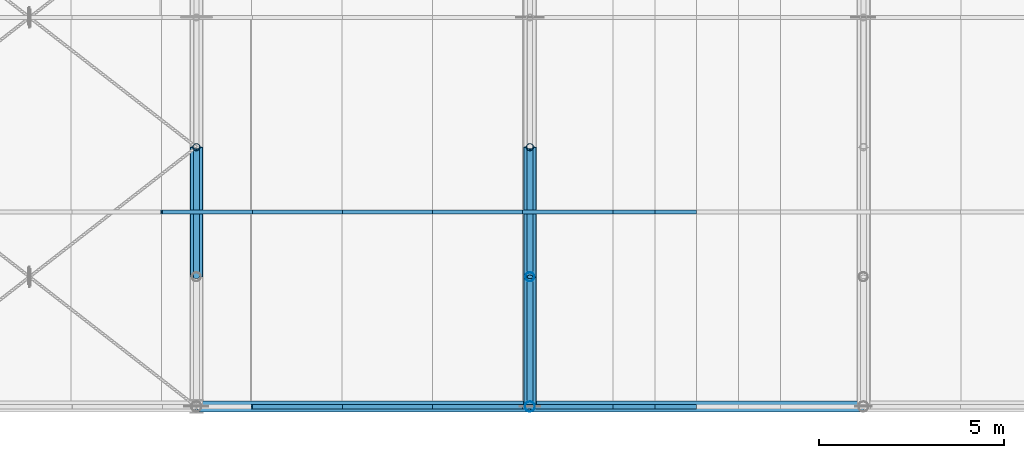
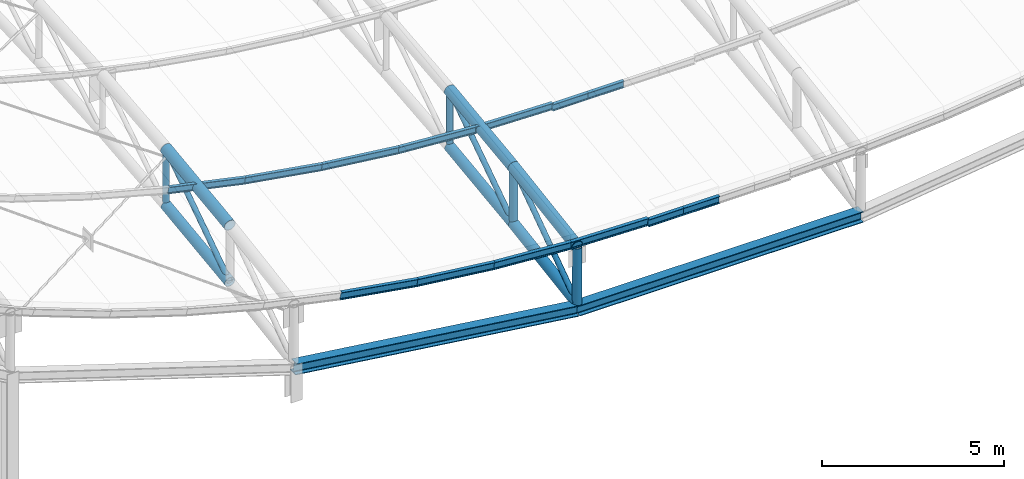
# One storey, part 20 of 262: 26 members, 2 beams.
"""IFC4 building model written with IfcOpenShell, lengths in metres."""

from ifc_helpers import new_model, si_unit, derived_unit, direction, frame, origin, origin_2d, place, context, subcontext, project, spatial, hollow_circle, i_section, extrude, material, material_profile, profile_set, type_object, element, save


model = new_model("IFC4")

# Units and contexts
model_context = context("Model", 3, precision=1e-05, world=origin(), true_north=direction((0.0, 1.0)))
body_context = subcontext(model_context, "Body", "Model", "MODEL_VIEW")
ifc_project = project(units=[si_unit("LENGTHUNIT", "METRE"), si_unit("AREAUNIT", "SQUARE_METRE"), si_unit("VOLUMEUNIT", "CUBIC_METRE"), si_unit("PLANEANGLEUNIT", "RADIAN"), si_unit("MASSUNIT", "GRAM", prefix="KILO"), derived_unit("THERMALTRANSMITTANCEUNIT", [(si_unit("POWERUNIT", "WATT"), 1), (si_unit("LENGTHUNIT", "METRE"), -2), (si_unit("THERMODYNAMICTEMPERATUREUNIT", "KELVIN"), -1)])], contexts=[model_context])

# Site, building, storey
site_placement = place(None, origin())
site = spatial("IfcSite", under=ifc_project, at=site_placement, CompositionType="ELEMENT")
building_placement = place(site_placement, origin())
building = spatial("IfcBuilding", under=site, at=building_placement, Name="Almenara Railside Exhibition Hall", CompositionType="ELEMENT")
storey_placement = place(building_placement, frame((0.0, 0.0, 21.699951171875)))
storey = spatial("IfcBuildingStorey", under=building, at=storey_placement, Name="RF", CompositionType="ELEMENT", Elevation=21.699951171875)

# Members
ifc_material = material(Name="Structural steel S355JR", Category="steel")
ifc_material_profile_1 = material_profile(ifc_material, i_section(OverallWidth=0.110107421875, OverallDepth=0.219970703125, WebThickness=0.005859375, FlangeThickness=0.00927734375, FilletRadius=0.011962890625, at=origin_2d()), Name="IPE 220")
ifc_profile_set_1 = profile_set([ifc_material_profile_1], Name="Structural steel S355JR")
member_type_1 = type_object("IfcMemberType", Name="Heavy Hall Roof Purlin IPE 220 S355JR", PredefinedType="PURLIN", material=ifc_profile_set_1)
member_1_placement = place(storey_placement, frame((20.056884765625, 5.25, -5.859130859375), z_axis=(0.977496103583, 0.0, -0.210953472309), x_axis=(0.0, 1.0, 0.0)))
element("IfcMember", 1, at=member_1_placement, inside=storey, type_object=member_type_1, Name="MEM-PR-V4-PR-IPE220-01-07", PredefinedType="PURLIN", context=body_context, shape_type="SweptSolid", body=[
    extrude(i_section(OverallWidth=0.110107421875, OverallDepth=0.219970703125, WebThickness=0.005859375, FlangeThickness=0.00927734375, FilletRadius=0.011962890625, at=origin_2d()), origin(), (0.0, 0.0, 1.0), 2.492919921875),
])
member_2_placement = place(storey_placement, frame((22.49365234375, 5.25, -6.382080078125), z_axis=(0.986449960692, 0.0, -0.164062412058), x_axis=(0.0, 1.0, 0.0)))
element("IfcMember", 2, at=member_2_placement, inside=storey, type_object=member_type_1, Name="MEM-PR-V4-PR-IPE220-01-08", PredefinedType="PURLIN", context=body_context, shape_type="SweptSolid", body=[
    extrude(i_section(OverallWidth=0.110107421875, OverallDepth=0.219970703125, WebThickness=0.005859375, FlangeThickness=0.00927734375, FilletRadius=0.011962890625, at=origin_2d()), origin(), (0.0, 0.0, 1.0), 2.47021484375),
])
member_3_placement = place(storey_placement, frame((24.930419921875, 5.25, -6.78515625), z_axis=(0.993105700961, 0.0, -0.117222296166), x_axis=(0.0, 1.0, 0.0)))
element("IfcMember", 3, at=member_3_placement, inside=storey, type_object=member_type_1, Name="MEM-PR-V4-PR-IPE220-01-09", PredefinedType="PURLIN", context=body_context, shape_type="SweptSolid", body=[
    extrude(i_section(OverallWidth=0.110107421875, OverallDepth=0.219970703125, WebThickness=0.005859375, FlangeThickness=0.00927734375, FilletRadius=0.011962890625, at=origin_2d()), origin(), (0.0, 0.0, 1.0), 2.453369140625),
])
member_4_placement = place(storey_placement, frame((27.366943359375, 5.25, -7.0712890625), z_axis=(0.997521719737, 0.0, -0.070359211571), x_axis=(0.0, 1.0, 0.0)))
element("IfcMember", 4, at=member_4_placement, inside=storey, type_object=member_type_1, Name="MEM-PR-V4-PR-IPE220-01-10", PredefinedType="PURLIN", context=body_context, shape_type="SweptSolid", body=[
    extrude(i_section(OverallWidth=0.110107421875, OverallDepth=0.219970703125, WebThickness=0.005859375, FlangeThickness=0.00927734375, FilletRadius=0.011962890625, at=origin_2d()), origin(), (0.0, 0.0, 1.0), 2.44287109375),
])
member_5_placement = place(storey_placement, frame((29.8037109375, 5.25, -7.242431640625), z_axis=(0.999725289903, 0.0, -0.023438104182), x_axis=(0.0, 1.0, 0.0)))
element("IfcMember", 5, at=member_5_placement, inside=storey, type_object=member_type_1, Name="MEM-PR-V4-PR-IPE220-01-11", PredefinedType="PURLIN", context=body_context, shape_type="SweptSolid", body=[
    extrude(i_section(OverallWidth=0.110107421875, OverallDepth=0.219970703125, WebThickness=0.005859375, FlangeThickness=0.00927734375, FilletRadius=0.011962890625, at=origin_2d()), origin(), (0.0, 0.0, 1.0), 2.4375),
])
member_6_placement = place(storey_placement, frame((32.240478515625, 5.25, -7.349853515625), z_axis=(1.0, 0.0, 0.0), x_axis=(0.0, 1.0, 0.0)))
element("IfcMember", 6, at=member_6_placement, inside=storey, type_object=member_type_1, Name="MEM-PR-V4-PR-IPE220-01-12", PredefinedType="PURLIN", context=body_context, shape_type="SweptSolid", body=[
    extrude(i_section(OverallWidth=0.110107421875, OverallDepth=0.219970703125, WebThickness=0.005859375, FlangeThickness=0.00927734375, FilletRadius=0.011962890625, at=origin_2d()), origin(), (0.0, 0.0, 1.0), 1.129638671875),
])
member_7_placement = place(storey_placement, frame((33.3701171875, 5.25, -7.349853515625), z_axis=(1.0, 0.0, 0.0), x_axis=(0.0, 1.0, 0.0)))
element("IfcMember", 7, at=member_7_placement, inside=storey, type_object=member_type_1, Name="MEM-PR-V4-PR-IPE220-01-13", PredefinedType="PURLIN", context=body_context, shape_type="SweptSolid", body=[
    extrude(i_section(OverallWidth=0.110107421875, OverallDepth=0.219970703125, WebThickness=0.005859375, FlangeThickness=0.00927734375, FilletRadius=0.011962890625, at=origin_2d()), origin(), (0.0, 0.0, 1.0), 1.1298828125),
])
ifc_material_profile_2 = material_profile(ifc_material, hollow_circle(Radius=0.161865234375, WallThickness=0.010009765625, at=origin_2d()), Name="CHS 323.9x10")
ifc_profile_set_2 = profile_set([ifc_material_profile_2], Name="Structural steel S355JR")
member_type_2 = type_object("IfcMemberType", Name="Plenary Truss Bottom Chord CHS 323.9x10 S355JR", PredefinedType="CHORD", material=ifc_profile_set_2)
member_8_placement = place(storey_placement, frame((21.0, 3.5, -8.220458984375), z_axis=(0.0, 0.991837525329, 0.127508130523), x_axis=(-1.0, 0.0, 0.0)))
element("IfcMember", 8, at=member_8_placement, inside=storey, type_object=member_type_2, Name="MEM-BC-V4-02-01", PredefinedType="CHORD", context=body_context, shape_type="SweptSolid", body=[
    extrude(hollow_circle(Radius=0.161865234375, WallThickness=0.010009765625, at=origin_2d()), origin(), (0.0, 0.0, 1.0), 3.52880859375),
])
member_9_placement = place(storey_placement, frame((30.0, 0.0, -9.95166015625), z_axis=(0.0, 0.987875011802, 0.155251283593), x_axis=(-1.0, 0.0, 0.0)))
element("IfcMember", 9, at=member_9_placement, inside=storey, type_object=member_type_2, Name="MEM-BC-V4-03-00", PredefinedType="CHORD", context=body_context, shape_type="SweptSolid", body=[
    extrude(hollow_circle(Radius=0.161865234375, WallThickness=0.010009765625, at=origin_2d()), origin(), (0.0, 0.0, 1.0), 3.54296875),
])
member_10_placement = place(storey_placement, frame((30.0, 3.5, -9.401611328125), z_axis=(0.0, 0.991837525329, 0.127508130523), x_axis=(-1.0, 0.0, 0.0)))
element("IfcMember", 10, at=member_10_placement, inside=storey, type_object=member_type_2, Name="MEM-BC-V4-03-01", PredefinedType="CHORD", context=body_context, shape_type="SweptSolid", body=[
    extrude(hollow_circle(Radius=0.161865234375, WallThickness=0.010009765625, at=origin_2d()), origin(), (0.0, 0.0, 1.0), 3.52880859375),
])
ifc_material_profile_3 = material_profile(ifc_material, hollow_circle(Radius=0.177734375, WallThickness=0.012451171875, at=origin_2d()), Name="CHS 355.6x12.5")
ifc_profile_set_3 = profile_set([ifc_material_profile_3], Name="Structural steel S355JR")
member_type_3 = type_object("IfcMemberType", Name="Plenary Truss Top Chord CHS 355.6x12.5 S355JR", PredefinedType="CHORD", material=ifc_profile_set_3)
member_11_placement = place(storey_placement, frame((21.0, 3.5, -6.320556640625), z_axis=(0.0, 0.991837525329, 0.127508130523), x_axis=(-1.0, 0.0, 0.0)))
element("IfcMember", 11, at=member_11_placement, inside=storey, type_object=member_type_3, Name="MEM-TC-V4-02-01", PredefinedType="CHORD", context=body_context, shape_type="SweptSolid", body=[
    extrude(hollow_circle(Radius=0.177734375, WallThickness=0.012451171875, at=origin_2d()), origin(), (0.0, 0.0, 1.0), 3.52880859375),
])
member_12_placement = place(storey_placement, frame((30.0, 0.0, -8.0517578125), z_axis=(0.0, 0.987875011802, 0.155251283593), x_axis=(-1.0, 0.0, 0.0)))
element("IfcMember", 12, at=member_12_placement, inside=storey, type_object=member_type_3, Name="MEM-TC-V4-03-00", PredefinedType="CHORD", context=body_context, shape_type="SweptSolid", body=[
    extrude(hollow_circle(Radius=0.177734375, WallThickness=0.012451171875, at=origin_2d()), origin(), (0.0, 0.0, 1.0), 3.54296875),
])
member_13_placement = place(storey_placement, frame((30.0, 3.5, -7.501708984375), z_axis=(0.0, 0.991837525329, 0.127508130523), x_axis=(-1.0, 0.0, 0.0)))
element("IfcMember", 13, at=member_13_placement, inside=storey, type_object=member_type_3, Name="MEM-TC-V4-03-01", PredefinedType="CHORD", context=body_context, shape_type="SweptSolid", body=[
    extrude(hollow_circle(Radius=0.177734375, WallThickness=0.012451171875, at=origin_2d()), origin(), (0.0, 0.0, 1.0), 3.52880859375),
])
ifc_material_profile_4 = material_profile(ifc_material, i_section(OverallWidth=0.1201171875, OverallDepth=0.239990234375, WebThickness=0.006103515625, FlangeThickness=0.009765625, FilletRadius=0.014892578125, at=origin_2d()), Name="IPE 240")
ifc_profile_set_4 = profile_set([ifc_material_profile_4], Name="Structural steel S355JR")
member_type_4 = type_object("IfcMemberType", Name="Scroll Roof Purlin IPE 240 S355JR", PredefinedType="PURLIN", material=ifc_profile_set_4)
member_14_placement = place(storey_placement, frame((22.49365234375, 0.0, -7.07080078125), z_axis=(0.986449960692, 0.0, -0.164062412058), x_axis=(0.0, 1.0, 0.0)))
element("IfcMember", 14, at=member_14_placement, inside=storey, type_object=member_type_4, Name="MEM-PR-V4-PR-IPE240-00-08", PredefinedType="PURLIN", context=body_context, shape_type="SweptSolid", body=[
    extrude(i_section(OverallWidth=0.1201171875, OverallDepth=0.239990234375, WebThickness=0.006103515625, FlangeThickness=0.009765625, FilletRadius=0.014892578125, at=origin_2d()), origin(), (0.0, 0.0, 1.0), 2.47021484375),
])
member_15_placement = place(storey_placement, frame((24.930419921875, 0.0, -7.473876953125), z_axis=(0.993117280569, 0.0, -0.117124152227), x_axis=(0.0, 1.0, 0.0)))
element("IfcMember", 15, at=member_15_placement, inside=storey, type_object=member_type_4, Name="MEM-PR-V4-PR-IPE240-00-09", PredefinedType="PURLIN", context=body_context, shape_type="SweptSolid", body=[
    extrude(i_section(OverallWidth=0.1201171875, OverallDepth=0.239990234375, WebThickness=0.006103515625, FlangeThickness=0.009765625, FilletRadius=0.014892578125, at=origin_2d()), origin(), (0.0, 0.0, 1.0), 2.453369140625),
])
member_16_placement = place(storey_placement, frame((27.366943359375, 0.0, -7.760009765625), z_axis=(0.997528729247, 0.0, -0.070259763216), x_axis=(0.0, 1.0, 0.0)))
element("IfcMember", 16, at=member_16_placement, inside=storey, type_object=member_type_4, Name="MEM-PR-V4-PR-IPE240-00-10", PredefinedType="PURLIN", context=body_context, shape_type="SweptSolid", body=[
    extrude(i_section(OverallWidth=0.1201171875, OverallDepth=0.239990234375, WebThickness=0.006103515625, FlangeThickness=0.009765625, FilletRadius=0.014892578125, at=origin_2d()), origin(), (0.0, 0.0, 1.0), 2.44287109375),
])
member_17_placement = place(storey_placement, frame((29.8037109375, 0.0, -7.930908203125), z_axis=(0.999725289903, 0.0, -0.023438104182), x_axis=(0.0, 1.0, 0.0)))
element("IfcMember", 17, at=member_17_placement, inside=storey, type_object=member_type_4, Name="MEM-PR-V4-PR-IPE240-00-11", PredefinedType="PURLIN", context=body_context, shape_type="SweptSolid", body=[
    extrude(i_section(OverallWidth=0.1201171875, OverallDepth=0.239990234375, WebThickness=0.006103515625, FlangeThickness=0.009765625, FilletRadius=0.014892578125, at=origin_2d()), origin(), (0.0, 0.0, 1.0), 2.4375),
])
member_18_placement = place(storey_placement, frame((32.240478515625, 0.0, -8.038818359375), z_axis=(1.0, 0.0, 0.0), x_axis=(0.0, 1.0, 0.0)))
element("IfcMember", 18, at=member_18_placement, inside=storey, type_object=member_type_4, Name="MEM-PR-V4-PR-IPE240-00-12", PredefinedType="PURLIN", context=body_context, shape_type="SweptSolid", body=[
    extrude(i_section(OverallWidth=0.1201171875, OverallDepth=0.239990234375, WebThickness=0.006103515625, FlangeThickness=0.009765625, FilletRadius=0.014892578125, at=origin_2d()), origin(), (0.0, 0.0, 1.0), 1.129638671875),
])
member_19_placement = place(storey_placement, frame((33.3701171875, 0.0, -8.038818359375), z_axis=(1.0, 0.0, 0.0), x_axis=(0.0, 1.0, 0.0)))
element("IfcMember", 19, at=member_19_placement, inside=storey, type_object=member_type_4, Name="MEM-PR-V4-PR-IPE240-00-13", PredefinedType="PURLIN", context=body_context, shape_type="SweptSolid", body=[
    extrude(i_section(OverallWidth=0.1201171875, OverallDepth=0.239990234375, WebThickness=0.006103515625, FlangeThickness=0.009765625, FilletRadius=0.014892578125, at=origin_2d()), origin(), (0.0, 0.0, 1.0), 1.1298828125),
])

# Beams
ifc_material_profile_5 = material_profile(ifc_material, i_section(OverallWidth=0.300048828125, OverallDepth=0.360107421875, WebThickness=0.012451171875, FlangeThickness=0.0224609375, FilletRadius=0.027099609375, at=origin_2d()), Name="HEB 360")
ifc_profile_set_5 = profile_set([ifc_material_profile_5], Name="Structural steel S355JR")
beam_type = type_object("IfcBeamType", Name="Steel Portal Girder HEB 360 S355JR", PredefinedType="USERDEFINED", material=ifc_profile_set_5)
beam_1_placement = place(storey_placement, frame((21.0, 0.0, -8.950439453125), z_axis=(0.991497815941, 0.0, -0.130123329902), x_axis=(0.0, 1.0, 0.0)))
element("IfcBeam", 20, at=beam_1_placement, inside=storey, type_object=beam_type, Name="Beam 0993", ObjectType="GIRDER", PredefinedType="USERDEFINED", context=body_context, shape_type="SweptSolid", body=[
    extrude(i_section(OverallWidth=0.300048828125, OverallDepth=0.360107421875, WebThickness=0.012451171875, FlangeThickness=0.0224609375, FilletRadius=0.027099609375, at=origin_2d()), origin(), (0.0, 0.0, 1.0), 9.0771484375),
])
beam_2_placement = place(storey_placement, frame((30.0, 0.0, -10.131591796875), z_axis=(1.0, 0.0, 0.0), x_axis=(0.0, 1.0, 0.0)))
element("IfcBeam", 21, at=beam_2_placement, inside=storey, type_object=beam_type, Name="Beam 0995", ObjectType="GIRDER", PredefinedType="USERDEFINED", context=body_context, shape_type="SweptSolid", body=[
    extrude(i_section(OverallWidth=0.300048828125, OverallDepth=0.360107421875, WebThickness=0.012451171875, FlangeThickness=0.0224609375, FilletRadius=0.027099609375, at=origin_2d()), origin(), (0.0, 0.0, 1.0), 9.0),
])

# Members
ifc_material_profile_6 = material_profile(ifc_material, hollow_circle(Radius=0.084228515625, WallThickness=0.006103515625, at=origin_2d()), Name="CHS 168.3x6")
ifc_profile_set_6 = profile_set([ifc_material_profile_6], Name="Structural steel S355JR")
member_type_5 = type_object("IfcMemberType", Name="Truss End Diagonal CHS 168.3x6 S355JR", PredefinedType="BRACE", material=ifc_profile_set_6)
member_20_placement = place(storey_placement, frame((21.0, 3.5, -8.220458984375), z_axis=(0.0, 0.830237211538, 0.557410237238), x_axis=(-1.0, 0.0, 0.0)))
element("IfcMember", 22, at=member_20_placement, inside=storey, type_object=member_type_5, Name="MEM-TD-V4-02-01", PredefinedType="BRACE", context=body_context, shape_type="SweptSolid", body=[
    extrude(hollow_circle(Radius=0.084228515625, WallThickness=0.006103515625, at=origin_2d()), origin(), (0.0, 0.0, 1.0), 4.215576171875),
])
member_21_placement = place(storey_placement, frame((30.0, 0.0, -9.95166015625), z_axis=(0.0, 0.819237289855, 0.573454673807), x_axis=(-1.0, 0.0, 0.0)))
element("IfcMember", 23, at=member_21_placement, inside=storey, type_object=member_type_5, Name="MEM-TD-V4-03-00", PredefinedType="BRACE", context=body_context, shape_type="SweptSolid", body=[
    extrude(hollow_circle(Radius=0.084228515625, WallThickness=0.006103515625, at=origin_2d()), origin(), (0.0, 0.0, 1.0), 4.272216796875),
])
member_22_placement = place(storey_placement, frame((30.0, 3.5, -9.401611328125), z_axis=(0.0, 0.830237211538, 0.557410237238), x_axis=(-1.0, 0.0, 0.0)))
element("IfcMember", 24, at=member_22_placement, inside=storey, type_object=member_type_5, Name="MEM-TD-V4-03-01", PredefinedType="BRACE", context=body_context, shape_type="SweptSolid", body=[
    extrude(hollow_circle(Radius=0.084228515625, WallThickness=0.006103515625, at=origin_2d()), origin(), (0.0, 0.0, 1.0), 4.215576171875),
])
ifc_material_profile_7 = material_profile(ifc_material, hollow_circle(Radius=0.122314453125, WallThickness=0.008056640625, at=origin_2d()), Name="CHS 244.5x8")
ifc_profile_set_7 = profile_set([ifc_material_profile_7], Name="Structural steel S355JR")
member_type_6 = type_object("IfcMemberType", Name="Truss Haunch Vertical Strut CHS 244.5x8 S355JR", PredefinedType="BRACE", material=ifc_profile_set_7)
member_23_placement = place(storey_placement, frame((30.0, 3.5, -9.401611328125), z_axis=(0.0, 0.0, 1.0), x_axis=(1.0, 0.0, 0.0)))
element("IfcMember", 25, at=member_23_placement, inside=storey, type_object=member_type_6, Name="MEM-TV-V4-03-01", PredefinedType="BRACE", context=body_context, shape_type="SweptSolid", body=[
    extrude(hollow_circle(Radius=0.122314453125, WallThickness=0.008056640625, at=origin_2d()), origin(), (0.0, 0.0, 1.0), 1.89990234375),
])
ifc_material_profile_8 = material_profile(ifc_material, hollow_circle(Radius=0.096923828125, WallThickness=0.00634765625, at=origin_2d()), Name="CHS 193.7x6.3")
ifc_profile_set_8 = profile_set([ifc_material_profile_8], Name="Structural steel S355JR")
member_type_7 = type_object("IfcMemberType", Name="Truss Standard Vertical Strut CHS 193.7x6.3 S355JR", PredefinedType="BRACE", material=ifc_profile_set_8)
for number, where, z_axis, x_axis, name in (
    (26, (21.0, 7.0, -7.7705078125), (0.0, 0.0, 1.0), (1.0, 0.0, 0.0), "MEM-TV-V4-02-02"),
    (27, (30.0, 7.0, -8.95166015625), (0.0, 0.0, 1.0), (1.0, 0.0, 0.0), "MEM-TV-V4-03-02"),
):
    element("IfcMember", number, at=place(storey_placement, frame(where, z_axis=z_axis, x_axis=x_axis)), inside=storey, type_object=member_type_7, Name=name, PredefinedType="BRACE", context=body_context, shape_type="SweptSolid", body=[
        extrude(hollow_circle(Radius=0.096923828125, WallThickness=0.00634765625, at=origin_2d()), origin(), (0.0, 0.0, 1.0), 1.89990234375),
    ])
ifc_material_profile_9 = material_profile(ifc_material, hollow_circle(Radius=0.136474609375, WallThickness=0.008056640625, at=origin_2d()), Name="CHS 273x8")
ifc_profile_set_9 = profile_set([ifc_material_profile_9], Name="Structural steel S355JR")
member_type_8 = type_object("IfcMemberType", Name="Truss Support Vertical Strut CHS 273x8 S355JR", PredefinedType="BRACE", material=ifc_profile_set_9)
member_24_placement = place(storey_placement, frame((30.0, 0.0, -9.95166015625), z_axis=(0.0, 0.0, 1.0), x_axis=(1.0, 0.0, 0.0)))
element("IfcMember", 28, at=member_24_placement, inside=storey, type_object=member_type_8, Name="MEM-TV-V4-03-00", PredefinedType="BRACE", context=body_context, shape_type="SweptSolid", body=[
    extrude(hollow_circle(Radius=0.136474609375, WallThickness=0.008056640625, at=origin_2d()), origin(), (0.0, 0.0, 1.0), 1.89990234375),
])

save(model, "model.ifc")
